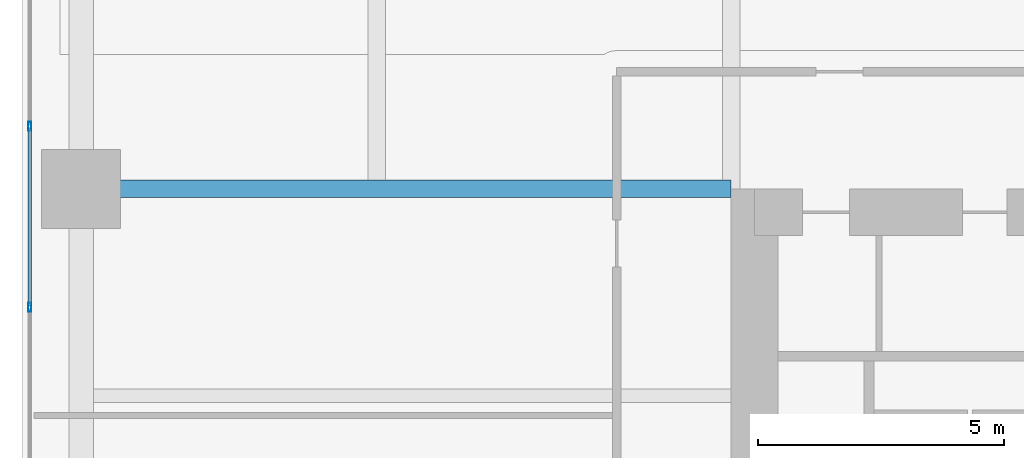
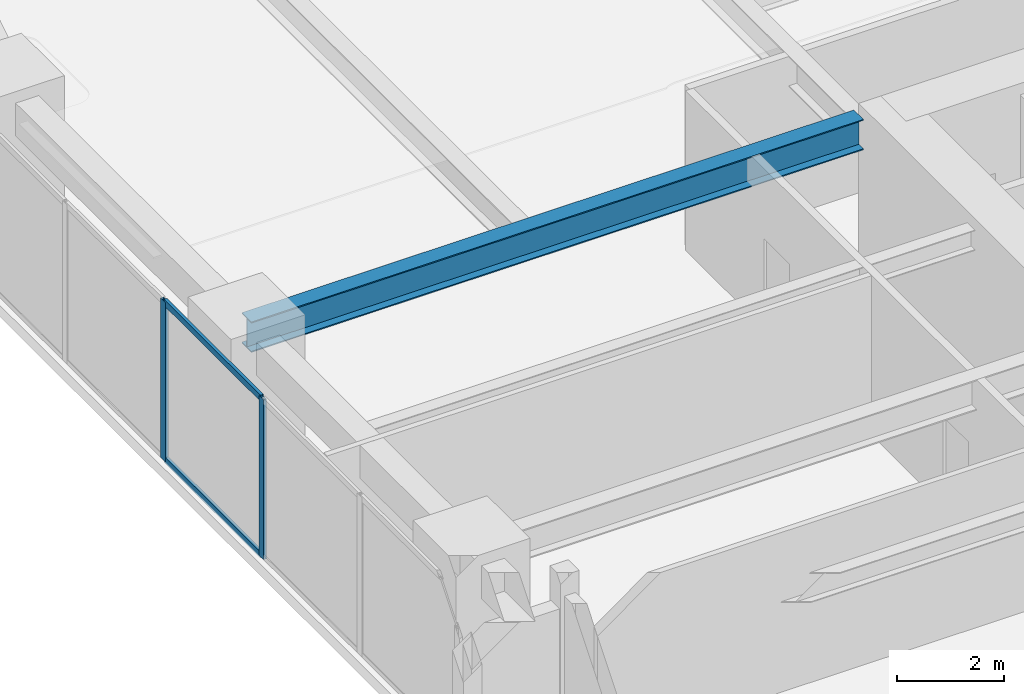
# One storey, part 11 of 28: 4 members, 1 beam, 1 element without a shape of its own.
"""IFC4 building model written with IfcOpenShell, lengths in metres."""

from ifc_helpers import new_model, si_unit, direction, frame, origin, origin_2d, place, context, subcontext, project, spatial, hollow_rectangle, i_section, extrude, material, layer, layer_set, material_profile, profile_set, type_object, element, aggregate, save


model = new_model("IFC4")

# Units and contexts
model_context = context("Model", 3, precision=1e-05, world=origin(), true_north=direction((0.0, 1.0)))
body_context = subcontext(model_context, "Body", "Model", "MODEL_VIEW")
ifc_project = project(units=[si_unit("LENGTHUNIT", "METRE"), si_unit("AREAUNIT", "SQUARE_METRE"), si_unit("VOLUMEUNIT", "CUBIC_METRE"), si_unit("PLANEANGLEUNIT", "RADIAN"), si_unit("MASSUNIT", "GRAM", prefix="KILO")], contexts=[model_context])

# Site, building, storey
site_placement = place(None, origin())
site = spatial("IfcSite", under=ifc_project, at=site_placement, CompositionType="ELEMENT")
building_placement = place(site_placement, origin())
building = spatial("IfcBuilding", under=site, at=building_placement, Name="Kiyonajd Concourse Tower", CompositionType="ELEMENT")
storey_placement = place(building_placement, frame((0.0, 0.0, 41.10009765625)))
storey = spatial("IfcBuildingStorey", under=building, at=storey_placement, Name="L11", CompositionType="ELEMENT", Elevation=41.10009765625)

# Beam
ifc_material_1 = material(Name="Steel ASTM A992 Grade 50", Category="steel")
ifc_material_profile_1 = material_profile(ifc_material_1, i_section(OverallWidth=0.35498046875, OverallDepth=0.695068359375, WebThickness=0.015380859375, FlangeThickness=0.02490234375, at=origin_2d()), Name="W690X217")
ifc_profile_set_1 = profile_set([ifc_material_profile_1], Name="Steel ASTM A992 Grade 50")
beam_type = type_object("IfcBeamType", Name="BM-TWR-690", PredefinedType="BEAM", material=ifc_profile_set_1)
beam_placement = place(storey_placement, frame((19.199951171875, 44.39990234375, 3.29248046875), z_axis=(1.0, 0.0, 0.0), x_axis=(0.0, 1.0, 0.0)))
element("IfcBeam", 1, at=beam_placement, inside=storey, type_object=beam_type, Name="L11 West Lease Girder", PredefinedType="BEAM", context=body_context, shape_type="SweptSolid", body=[
    extrude(i_section(OverallWidth=0.35498046875, OverallDepth=0.695068359375, WebThickness=0.015380859375, FlangeThickness=0.02490234375, at=origin_2d()), origin(), (0.0, 0.0, 1.0), 13.199951171875),
])

# Curtain wall, members
ifc_material_2 = material(Name="Thermally Broken Anodised Aluminium", Category="aluminium")
ifc_layer = layer(ifc_material_2, 0.179931640625)
ifc_layer_set = layer_set([ifc_layer], Name="Thermally Broken Anodised Aluminium")
curtain_wall_type = type_object("IfcCurtainWallType", Name="CW-SYS-02", PredefinedType="NOTDEFINED", material=ifc_layer_set)
curtain_wall_placement = place(storey_placement, origin())
curtain_wall = element("IfcCurtainWall", 2, at=curtain_wall_placement, inside=storey, type_object=curtain_wall_type, Name="L11 Unitised Curtain Wall CW2", PredefinedType="NOTDEFINED")
ifc_material_profile_2 = material_profile(ifc_material_2, hollow_rectangle(XDim=0.06494140625, YDim=0.179931640625, WallThickness=0.00390625, at=origin_2d()), Name="MULL-65x180")
ifc_profile_set_2 = profile_set([ifc_material_profile_2], Name="Thermally Broken Anodised Aluminium")
member_type_1 = type_object("IfcMemberType", Name="MB-CW-MULL1", PredefinedType="MULLION", material=ifc_profile_set_2)
member_1_placement = place(storey_placement, frame((18.159912109375, 41.996337890625, 0.0), z_axis=(0.0, 0.0, 1.0), x_axis=(-1.0, 0.0, 0.0)))
member_1 = element("IfcMember", 3, at=member_1_placement, type_object=member_type_1, Name="CW2 mullion 3", PredefinedType="MULLION", context=body_context, shape_type="SweptSolid", body=[
    extrude(hollow_rectangle(XDim=0.06494140625, YDim=0.179931640625, WallThickness=0.00390625, at=origin_2d()), origin(), (0.0, 0.0, 1.0), 3.639892578125),
])
member_2_placement = place(storey_placement, frame((18.159912109375, 45.66943359375, 0.0), z_axis=(0.0, 0.0, 1.0), x_axis=(-1.0, 0.0, 0.0)))
member_2 = element("IfcMember", 4, at=member_2_placement, type_object=member_type_1, Name="CW2 mullion 4", PredefinedType="MULLION", context=body_context, shape_type="SweptSolid", body=[
    extrude(hollow_rectangle(XDim=0.06494140625, YDim=0.179931640625, WallThickness=0.00390625, at=origin_2d()), origin(), (0.0, 0.0, 1.0), 3.639892578125),
])
ifc_material_profile_3 = material_profile(ifc_material_2, hollow_rectangle(XDim=0.06494140625, YDim=0.139892578125, WallThickness=0.00390625, at=origin_2d()), Name="TRAN-65x140")
ifc_profile_set_3 = profile_set([ifc_material_profile_3], Name="Thermally Broken Anodised Aluminium")
member_type_2 = type_object("IfcMemberType", Name="MB-CW-TRAN1", PredefinedType="USERDEFINED", material=ifc_profile_set_3)
member_3_placement = place(storey_placement, frame((18.159912109375, 42.02880859375, 0.032470703125), z_axis=(0.0, 1.0, 0.0), x_axis=(-1.0, 0.0, 0.0)))
member_3 = element("IfcMember", 5, at=member_3_placement, type_object=member_type_2, Name="CW2 transom 3.1", ObjectType="TRANSOM", PredefinedType="USERDEFINED", context=body_context, shape_type="SweptSolid", body=[
    extrude(hollow_rectangle(XDim=0.06494140625, YDim=0.139892578125, WallThickness=0.00390625, at=origin_2d()), origin(), (0.0, 0.0, 1.0), 3.608154296875),
])
member_4_placement = place(storey_placement, frame((18.159912109375, 42.02880859375, 3.607421875), z_axis=(0.0, 1.0, 0.0), x_axis=(-1.0, 0.0, 0.0)))
member_4 = element("IfcMember", 6, at=member_4_placement, type_object=member_type_2, Name="CW2 transom 3.2", ObjectType="TRANSOM", PredefinedType="USERDEFINED", context=body_context, shape_type="SweptSolid", body=[
    extrude(hollow_rectangle(XDim=0.06494140625, YDim=0.139892578125, WallThickness=0.00390625, at=origin_2d()), origin(), (0.0, 0.0, 1.0), 3.608154296875),
])
aggregate(curtain_wall, [member_1, member_2, member_3, member_4])

save(model, "model.ifc")
